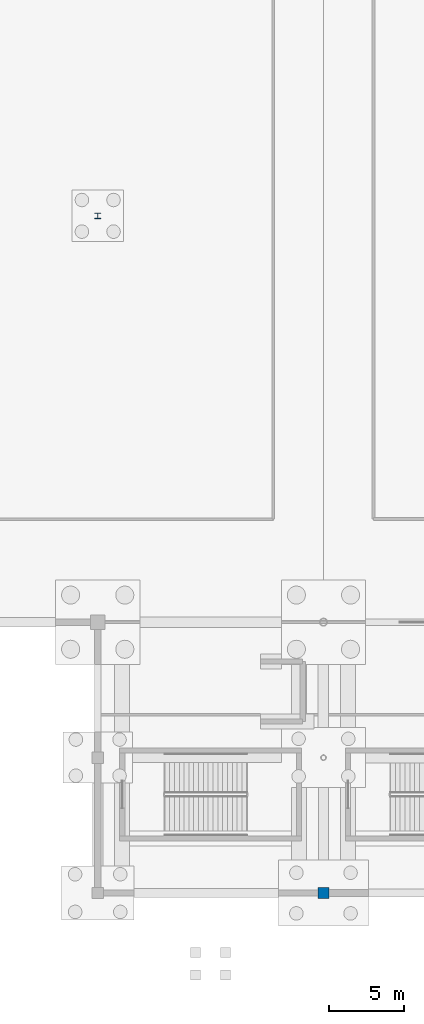
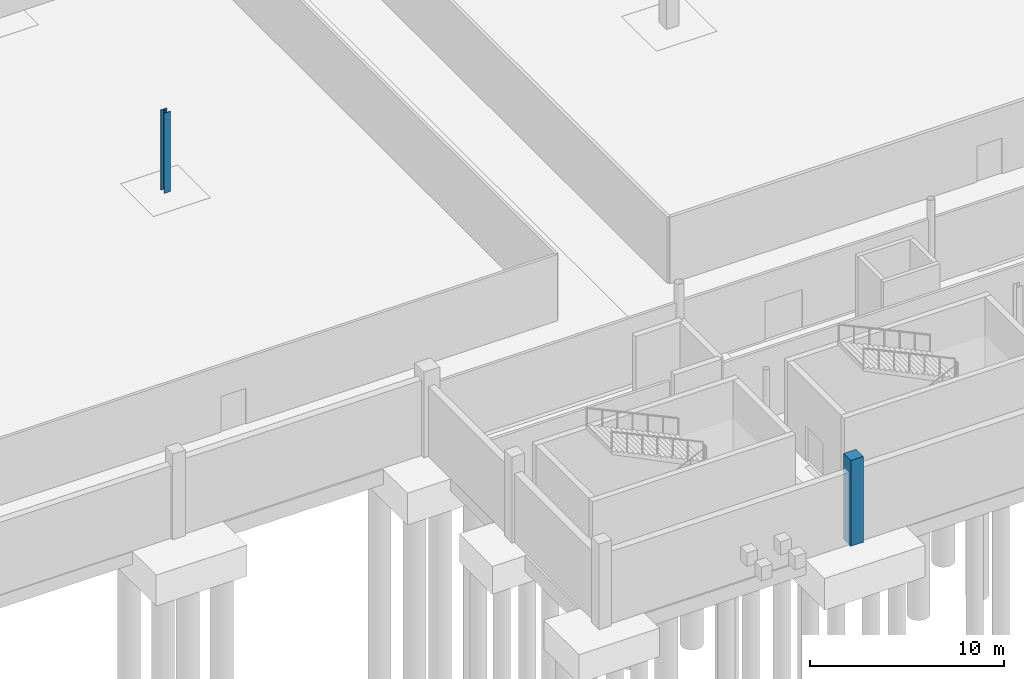
# One storey, part 15 of 58: 2 columns.
"""IFC4 building model written with IfcOpenShell, lengths in metres."""

from ifc_helpers import new_model, si_unit, direction, frame, origin, origin_2d, place, context, subcontext, project, spatial, rectangle, i_section, extrude, material, material_profile, profile_set, type_object, element, save


model = new_model("IFC4")

# Units and contexts
model_context = context("Model", 3, precision=1e-05, world=origin(), true_north=direction((0.0, 1.0)))
body_context = subcontext(model_context, "Body", "Model", "MODEL_VIEW")
ifc_project = project(units=[si_unit("LENGTHUNIT", "METRE"), si_unit("AREAUNIT", "SQUARE_METRE"), si_unit("VOLUMEUNIT", "CUBIC_METRE"), si_unit("PLANEANGLEUNIT", "RADIAN"), si_unit("MASSUNIT", "GRAM", prefix="KILO")], contexts=[model_context])

# Site, building, storey
site_placement = place(None, origin())
site = spatial("IfcSite", under=ifc_project, at=site_placement, CompositionType="ELEMENT")
building_placement = place(site_placement, origin())
building = spatial("IfcBuilding", under=site, at=building_placement, Name="Qamarlyn Nura Convention Centre", CompositionType="ELEMENT")
storey_placement = place(building_placement, frame((0.0, 0.0, -5.39990234375)))
storey = spatial("IfcBuildingStorey", under=building, at=storey_placement, Name="B01", CompositionType="ELEMENT", Elevation=-5.39990234375)

# Columns
ifc_material_1 = material(Name="Concrete C50/60", Category="concrete")
ifc_material_profile_1 = material_profile(ifc_material_1, rectangle(XDim=0.75, YDim=0.75, at=origin_2d()), Name="RC 750x750")
ifc_profile_set_1 = profile_set([ifc_material_profile_1], Name="Concrete C50/60")
column_type_1 = type_object("IfcColumnType", Name="COL-SUB-2", PredefinedType="COLUMN", material=ifc_profile_set_1)
column_1_placement = place(storey_placement, frame((75.0, 0.0, 0.0), z_axis=(0.0, 0.0, 1.0), x_axis=(1.0, 0.0, 0.0)))
element("IfcColumn", 1, at=column_1_placement, inside=storey, type_object=column_type_1, Name="B01 column 6/A", PredefinedType="COLUMN", context=body_context, shape_type="SweptSolid", body=[
    extrude(rectangle(XDim=0.75, YDim=0.75, at=origin_2d()), origin(), (0.0, 0.0, 1.0), 5.39990234375),
])
ifc_material_2 = material(Name="Steel ASTM A992", Category="steel")
ifc_material_profile_2 = material_profile(ifc_material_2, i_section(OverallWidth=0.3740234375, OverallDepth=0.3720703125, WebThickness=0.016357421875, FlangeThickness=0.026123046875, FilletRadius=0.01611328125, at=origin_2d()), Name="W360X196")
ifc_profile_set_2 = profile_set([ifc_material_profile_2], Name="Steel ASTM A992")
column_type_2 = type_object("IfcColumnType", Name="COL-WING-2", PredefinedType="COLUMN", material=ifc_profile_set_2)
column_2_placement = place(storey_placement, frame((60.0, 45.0, 0.0), z_axis=(0.0, 0.0, 1.0), x_axis=(1.0, 0.0, 0.0)))
element("IfcColumn", 2, at=column_2_placement, inside=storey, type_object=column_type_2, Name="B01 column 5/F", PredefinedType="COLUMN", context=body_context, shape_type="SweptSolid", body=[
    extrude(i_section(OverallWidth=0.3740234375, OverallDepth=0.3720703125, WebThickness=0.016357421875, FlangeThickness=0.026123046875, FilletRadius=0.01611328125, at=origin_2d()), origin(), (0.0, 0.0, 1.0), 5.0498046875),
])

save(model, "model.ifc")
